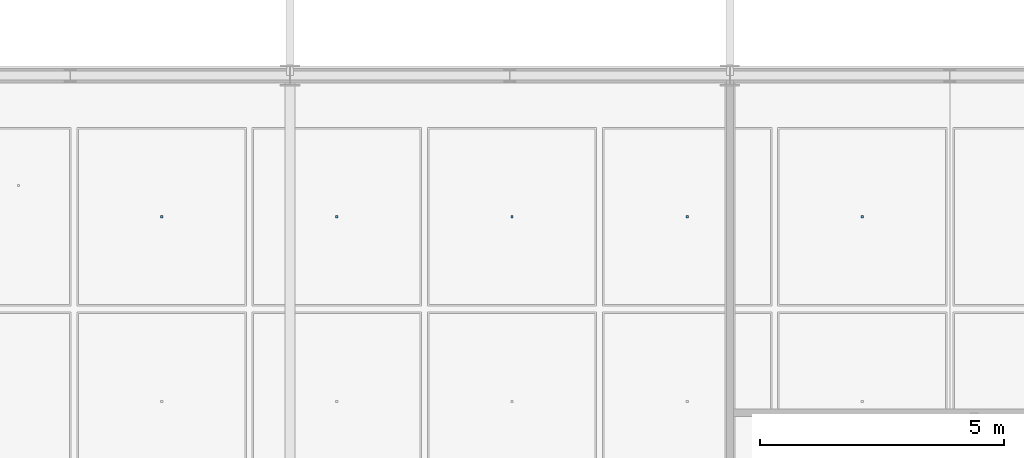
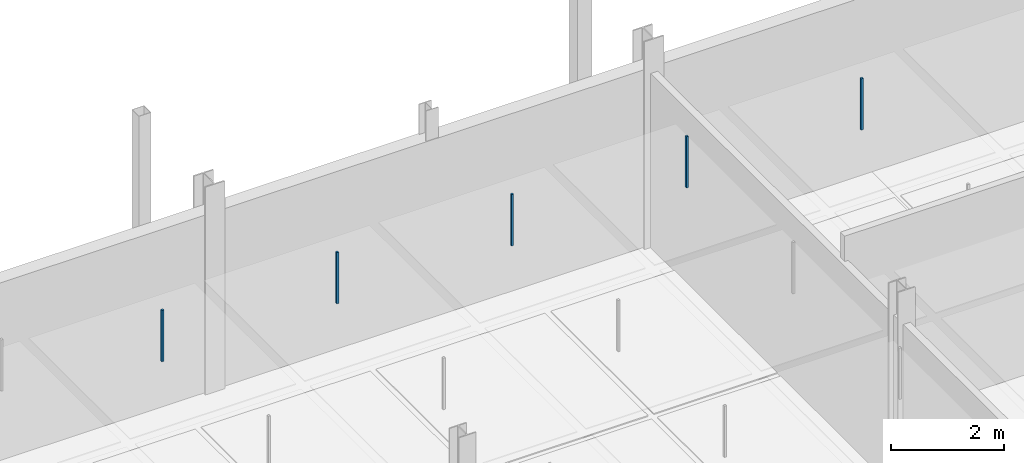
# One storey, part 87 of 130: 5 discrete accessories.
"""IFC4 building model written with IfcOpenShell, lengths in metres."""

from ifc_helpers import new_model, si_unit, direction, frame, origin, origin_2d, place, context, subcontext, project, spatial, rectangle, extrude, material, type_object, element, save


model = new_model("IFC4")

# Units and contexts
model_context = context("Model", 3, precision=1e-05, world=origin(), true_north=direction((0.0, 1.0)))
body_context = subcontext(model_context, "Body", "Model", "MODEL_VIEW")
ifc_project = project(units=[si_unit("LENGTHUNIT", "METRE"), si_unit("AREAUNIT", "SQUARE_METRE"), si_unit("VOLUMEUNIT", "CUBIC_METRE"), si_unit("PLANEANGLEUNIT", "RADIAN"), si_unit("MASSUNIT", "GRAM", prefix="KILO"), si_unit("THERMODYNAMICTEMPERATUREUNIT", "KELVIN"), si_unit("POWERUNIT", "WATT")], contexts=[model_context])

# Site, building, storey
site_placement = place(None, origin())
site = spatial("IfcSite", under=ifc_project, at=site_placement, CompositionType="ELEMENT")
building_placement = place(site_placement, origin())
building = spatial("IfcBuilding", under=site, at=building_placement, Name="Tallowbark Science Centre", CompositionType="ELEMENT")
storey_placement = place(building_placement, frame((0.0, 0.0, 5.39990234375)))
storey = spatial("IfcBuildingStorey", under=building, at=storey_placement, Name="L01", CompositionType="ELEMENT", Elevation=5.39990234375)

# Discrete accessories
ifc_material = material(Name="Galvanised Steel Grade C350L0 (350 MPa)", Category="steel")
discrete_accessory_type = type_object("IfcDiscreteAccessoryType", Name="ACC-CLG-HNG", PredefinedType="BRACKET", material=ifc_material)
for number, where, z_axis, x_axis, name in (
    (1, (64.875, 37.611083984375, 3.20947265625), (0.0, 0.0, 1.0), (1.0, 0.0, 0.0), "Ceiling Hanger Bracket L01-494"),
    (2, (68.458251953125, 37.611083984375, 3.20947265625), (0.0, 0.0, 1.0), (1.0, 0.0, 0.0), "Ceiling Hanger Bracket L01-500"),
    (3, (72.041748046875, 37.611083984375, 3.20947265625), (0.0, 0.0, 1.0), (1.0, 0.0, 0.0), "Ceiling Hanger Bracket L01-506"),
    (4, (75.625, 37.611083984375, 3.20947265625), (0.0, 0.0, 1.0), (1.0, 0.0, 0.0), "Ceiling Hanger Bracket L01-515"),
    (5, (79.208251953125, 37.611083984375, 3.20947265625), (0.0, 0.0, 1.0), (1.0, 0.0, 0.0), "Ceiling Hanger Bracket L01-524"),
):
    element("IfcDiscreteAccessory", number, at=place(storey_placement, frame(where, z_axis=z_axis, x_axis=x_axis)), inside=storey, type_object=discrete_accessory_type, Name=name, PredefinedType="BRACKET", context=body_context, shape_type="SweptSolid", body=[
        extrude(rectangle(XDim=0.044921875, YDim=0.044921875, at=origin_2d()), origin(), (0.0, 0.0, 1.0), 1.113525390625),
    ])

save(model, "model.ifc")
